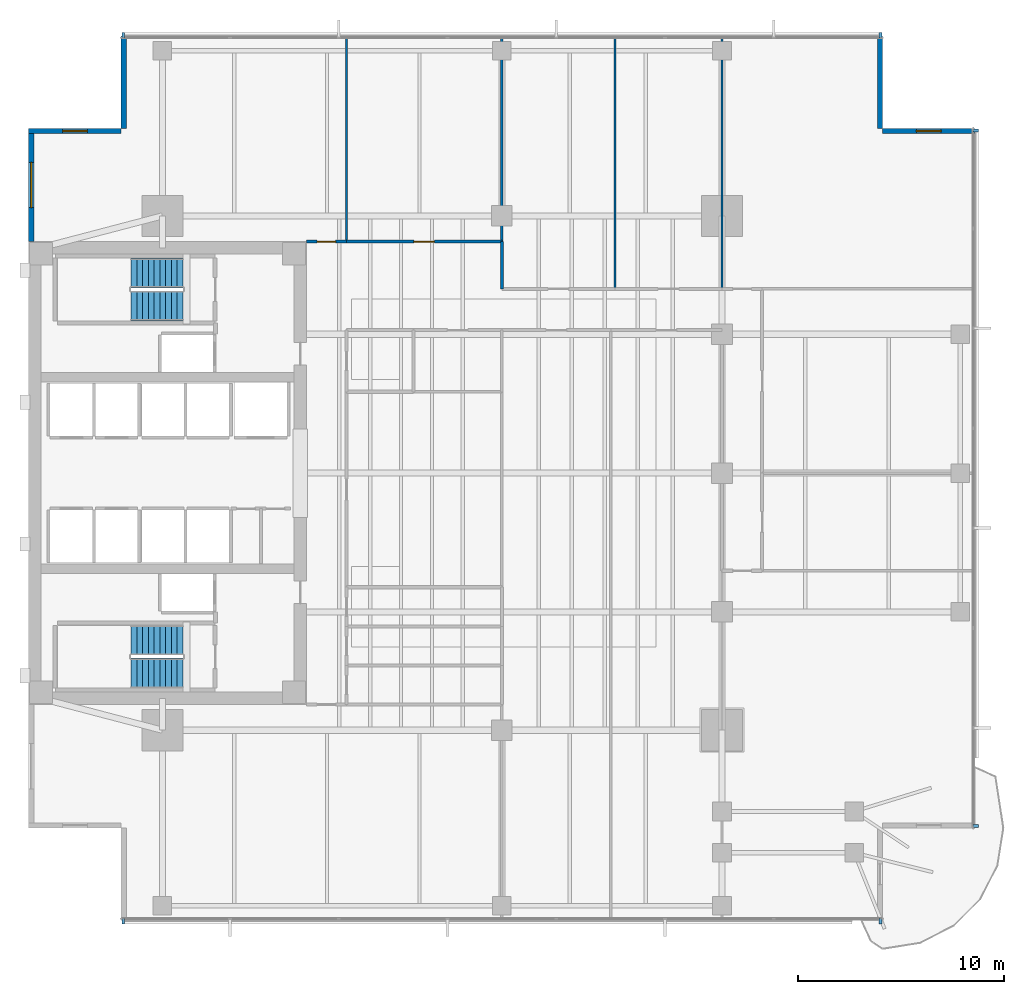
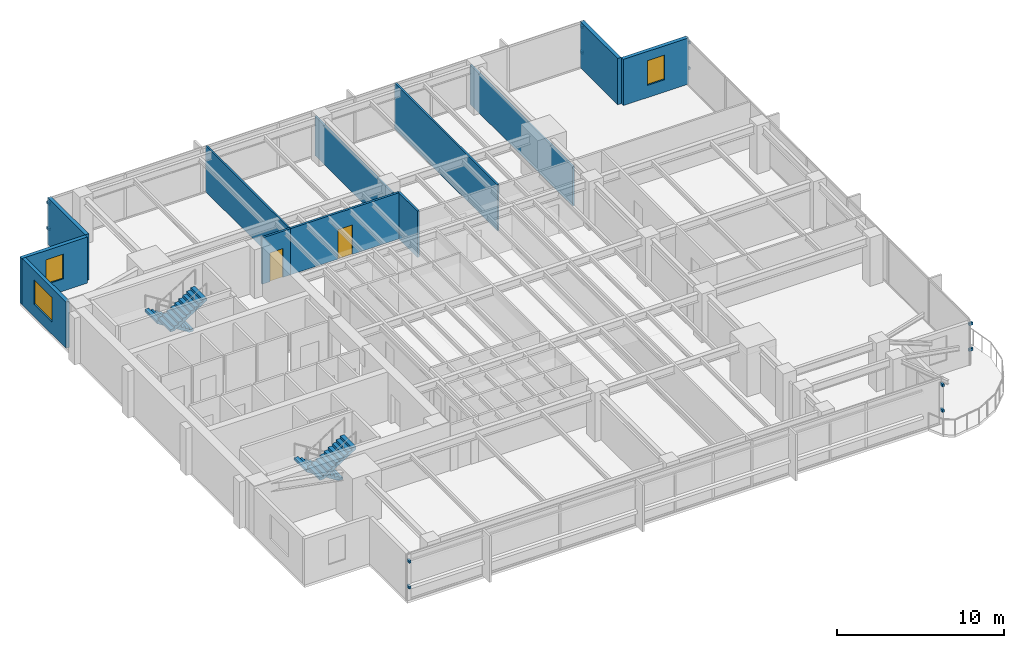
# One storey, part 10 of 14: 12 discrete accessories, 12 walls, 4 stair flights, 3 windows, 2 doors, 5 openings, 2 elements without a shape of their own.
"""IFC4 building model written with IfcOpenShell, lengths in metres."""

import ifcopenshell
import ifcopenshell.guid

model = None  # the IFC model being written
_history = None  # IfcOwnerHistory: only IFC2X3 demands one
_inside = {}  # id of a spatial element -> (the spatial element, [elements in it])
_under = {}  # id of a project, library or spatial element -> (it, [spatial elements below it])
_declared = {}  # id of a project -> (the project, [libraries it declares])
_typed = {}  # id of a type object -> (the type object, [elements of that type])
_made_of = {}  # id of a material, layer set ... -> (it, [elements and type objects made of it])


def new_model(schema):
    """Start an empty IFC model of exactly this schema.

    Asked for "IFC4X3", IfcOpenShell would pick the latest addendum, in which some entities
    have other attributes; the version numbers below select the first issue.
    IFC2X3 requires an IfcOwnerHistory on every rooted entity: one is made here for all.
    """
    global model, _history
    if schema == "IFC4X3":
        model = ifcopenshell.file(schema_version=(4, 3, 0, 0))
    else:
        model = ifcopenshell.file(schema=schema)
    _inside.clear()
    _under.clear()
    _declared.clear()
    _typed.clear()
    _made_of.clear()
    _history = None
    if model.schema == "IFC2X3":
        org = make("IfcOrganization", Name="unknown")
        user = make(
            "IfcPersonAndOrganization",
            ThePerson=make("IfcPerson", FamilyName="unknown"),
            TheOrganization=org,
        )
        app = make(
            "IfcApplication",
            ApplicationDeveloper=org,
            Version="unknown",
            ApplicationFullName="unknown",
            ApplicationIdentifier="unknown",
        )
        _history = make(
            "IfcOwnerHistory",
            OwningUser=user,
            OwningApplication=app,
            ChangeAction="ADDED",
            CreationDate=0,
        )
    return model


def make(cls, **values):
    """One entity of the class cls with the attributes given. An attribute that is None is left unset."""
    return model.create_entity(
        cls, **{name: value for name, value in values.items() if value is not None}
    )


def rooted(cls, **values):
    """An entity with a GlobalId (a new one), such as an element, a storey or a relation."""
    return make(cls, GlobalId=ifcopenshell.guid.new(), OwnerHistory=_history, **values)


def si_unit(unit_type, name, prefix=None):
    """IfcSIUnit, for example si_unit("LENGTHUNIT", "METRE", prefix="MILLI")."""
    return make("IfcSIUnit", UnitType=unit_type, Prefix=prefix, Name=name)


def assignment(units):
    """IfcUnitAssignment: the units of a project."""
    return None if units is None else make("IfcUnitAssignment", Units=units)


def point(xyz):
    """IfcCartesianPoint."""
    return None if xyz is None else make("IfcCartesianPoint", Coordinates=xyz)


def direction(xyz):
    """IfcDirection."""
    return None if xyz is None else make("IfcDirection", DirectionRatios=xyz)


def frame(location, z_axis=None, x_axis=None):
    """IfcAxis2Placement3D, a coordinate frame: its origin and axes. An axis left out is left unset."""
    return make(
        "IfcAxis2Placement3D",
        Location=point(location),
        Axis=direction(z_axis),
        RefDirection=direction(x_axis),
    )


def frame_2d(location, x_axis=None):
    """IfcAxis2Placement2D, a coordinate frame in the plane: its origin and x axis."""
    return make(
        "IfcAxis2Placement2D", Location=point(location), RefDirection=direction(x_axis)
    )


def origin():
    """The frame at (0, 0, 0) with its axes left unset."""
    return frame((0.0, 0.0, 0.0))


def origin_2d():
    """The frame at (0, 0) in the plane with its x axis left unset."""
    return frame_2d((0.0, 0.0))


def place(relative_to, where):
    """IfcLocalPlacement: puts the frame where relative to a parent placement (None: the world)."""
    return make(
        "IfcLocalPlacement", PlacementRelTo=relative_to, RelativePlacement=where
    )


def context(
    kind, dimensions, precision=None, world=None, true_north=None, identifier=None
):
    """IfcGeometricRepresentationContext, for example the 3D "Model" context."""
    return make(
        "IfcGeometricRepresentationContext",
        ContextIdentifier=identifier,
        ContextType=kind,
        CoordinateSpaceDimension=dimensions,
        Precision=precision,
        WorldCoordinateSystem=world,
        TrueNorth=true_north,
    )


def subcontext(parent, identifier, kind, view, scale=None):
    """IfcGeometricRepresentationSubContext, for example "Body" below "Model"."""
    return make(
        "IfcGeometricRepresentationSubContext",
        ContextIdentifier=identifier,
        ContextType=kind,
        ParentContext=parent,
        TargetScale=scale,
        TargetView=view,
    )


def project(units=None, contexts=None):
    """IfcProject with its units and contexts."""
    return rooted(
        "IfcProject",
        Name="project",
        RepresentationContexts=contexts,
        UnitsInContext=assignment(units),
    )


def spatial(cls, under=None, at=None, **own):
    """A site, building, storey or space (cls), placed at a placement, below another one or the project."""
    s = rooted(cls, ObjectPlacement=at, **own)
    if under is not None:
        _under.setdefault(under.id(), (under, []))[1].append(s)
    return s


def polyline(points):
    """IfcPolyline through the points."""
    return make("IfcPolyline", Points=[point(p) for p in points])


def profile(cls, at=None, kind="AREA", **sizes):
    """A parametric profile (cls). Its sizes go by their IFC names, for example OverallWidth=200.0."""
    return make(cls, ProfileType=kind, Position=at, **sizes)


def rectangle(**sizes):
    """IfcRectangleProfileDef."""
    return profile("IfcRectangleProfileDef", **sizes)


def outline(outer, holes=None, kind="AREA"):
    """IfcArbitraryClosedProfileDef: a profile drawn as a closed curve; with holes, ...WithVoids."""
    if holes is None:
        return make("IfcArbitraryClosedProfileDef", ProfileType=kind, OuterCurve=outer)
    return make(
        "IfcArbitraryProfileDefWithVoids",
        ProfileType=kind,
        OuterCurve=outer,
        InnerCurves=holes,
    )


def extrude(swept, where, along, depth):
    """IfcExtrudedAreaSolid: the profile swept, set in the frame where, extruded along a direction by depth."""
    return make(
        "IfcExtrudedAreaSolid",
        SweptArea=swept,
        Position=where,
        ExtrudedDirection=direction(along),
        Depth=depth,
    )


def shape(context_of_items, identifier, shape_type, items):
    """IfcShapeRepresentation: the items that make up one representation, for example the "Body"."""
    return make(
        "IfcShapeRepresentation",
        ContextOfItems=context_of_items,
        RepresentationIdentifier=identifier,
        RepresentationType=shape_type,
        Items=items,
    )


def material(Name=None, Category=None):
    """IfcMaterial."""
    return make("IfcMaterial", Name=Name, Category=Category)


def layer(
    of_material, thickness, ventilated=None, Name=None, Category=None, Priority=None
):
    """IfcMaterialLayer: one layer of a wall or slab, of a material (None: an air gap)."""
    return make(
        "IfcMaterialLayer",
        Material=of_material,
        LayerThickness=thickness,
        IsVentilated=ventilated,
        Name=Name,
        Category=Category,
        Priority=Priority,
    )


def layer_set(layers, Name=None):
    """IfcMaterialLayerSet."""
    return make("IfcMaterialLayerSet", MaterialLayers=layers, LayerSetName=Name)


def made_of(thing, what):
    """Note that an element or type object is made of a material, layer set ...; save() writes the relation."""
    if what is not None:
        _made_of.setdefault(what.id(), (what, []))[1].append(thing)
    return thing


def type_object(cls, material=None, **own):
    """A type object (cls), such as IfcWallType, which elements share."""
    return made_of(rooted(cls, **own), material)


def element(
    cls,
    number,
    at=None,
    inside=None,
    cuts=None,
    type_object=None,
    material=None,
    context=None,
    identifier="Body",
    shape_type=None,
    held_by="IfcProductDefinitionShape",
    body=None,
    shapes=None,
    **own,
):
    """One element of the class cls, such as IfcWall. Its Tag is "e" and its number.

    at: its placement. inside: the storey or other place that contains it. cuts: it is an
    opening in that element (IfcRelVoidsElement). A single representation is given by context,
    identifier, shape_type and body (its items); several are given by shapes. held_by: the class
    of the entity that holds the representations. save() writes the other relations.
    """
    e = rooted(cls, Tag="e%d" % number, ObjectPlacement=at, **own)
    if body is not None:
        shapes = [shape(context, identifier, shape_type, body)]
    if shapes is not None:
        e.Representation = make(held_by, Representations=shapes)
    if inside is not None:
        _inside.setdefault(inside.id(), (inside, []))[1].append(e)
    if cuts is not None:
        rooted(
            "IfcRelVoidsElement", RelatingBuildingElement=cuts, RelatedOpeningElement=e
        )
    if type_object is not None:
        _typed.setdefault(type_object.id(), (type_object, []))[1].append(e)
    return made_of(e, material)


def fill(opening, filler):
    """IfcRelFillsElement: the door or window that sits in an opening."""
    return rooted(
        "IfcRelFillsElement",
        RelatingOpeningElement=opening,
        RelatedBuildingElement=filler,
    )


def aggregate(whole, parts):
    """IfcRelAggregates: a whole, such as a stair, and the parts it consists of."""
    return rooted("IfcRelAggregates", RelatingObject=whole, RelatedObjects=parts)


def save(model, path):
    """Write the relations noted so far, then the file.

    IfcRelAggregates (storeys below a building ...), IfcRelContainedInSpatialStructure (elements
    in a storey), IfcRelDefinesByType, IfcRelAssociatesMaterial and IfcRelDeclares: one each for
    every whole, place, type object, material and project.
    """
    for whole, parts in _under.values():
        aggregate(whole, parts)
    for where, things in _inside.values():
        rooted(
            "IfcRelContainedInSpatialStructure",
            RelatedElements=things,
            RelatingStructure=where,
        )
    for kind, things in _typed.values():
        rooted("IfcRelDefinesByType", RelatedObjects=things, RelatingType=kind)
    for what, things in _made_of.values():
        rooted("IfcRelAssociatesMaterial", RelatedObjects=things, RelatingMaterial=what)
    for by, libraries in _declared.values():
        rooted("IfcRelDeclares", RelatingContext=by, RelatedDefinitions=libraries)
    model.write(path)


model = new_model("IFC4")

# Units and contexts
model_context = context("Model", 3, precision=1e-05, world=origin(), true_north=direction((0.0, 1.0)))
body_context = subcontext(model_context, "Body", "Model", "MODEL_VIEW")
ifc_project = project(units=[si_unit("LENGTHUNIT", "METRE"), si_unit("AREAUNIT", "SQUARE_METRE"), si_unit("VOLUMEUNIT", "CUBIC_METRE"), si_unit("PLANEANGLEUNIT", "RADIAN"), si_unit("MASSUNIT", "GRAM", prefix="KILO")], contexts=[model_context])

# Site, building, storey
site_placement = place(None, origin())
site = spatial("IfcSite", under=ifc_project, at=site_placement, CompositionType="ELEMENT")
building_placement = place(site_placement, origin())
building = spatial("IfcBuilding", under=site, at=building_placement, Name="Kinhvarn Gate Tower", CompositionType="ELEMENT")
storey_placement = place(building_placement, frame((0.0, 0.0, 116.449951171875)))
storey = spatial("IfcBuildingStorey", under=building, at=storey_placement, Name="L30", CompositionType="ELEMENT", Elevation=116.449951171875)

# Wall, opening, window
ifc_material_1 = material(Name="Fired architectural terracotta", Category="masonry")
ifc_layer_1 = layer(ifc_material_1, 0.25)
ifc_layer_set_1 = layer_set([ifc_layer_1], Name="Fired architectural terracotta")
wall_type_1 = type_object("IfcWallType", Name="WL-EXT-250", PredefinedType="SOLIDWALL", material=ifc_layer_set_1)
wall_1_placement = place(storey_placement, frame((4.625, 42.0, 0.0), z_axis=(0.0, 0.0, 1.0), x_axis=(0.0, -1.0, 0.0)))
wall_1 = element("IfcWall", 1, at=wall_1_placement, inside=storey, type_object=wall_type_1, Name="Exterior Solidwall Wall EW-250 (L30 West-North)", PredefinedType="SOLIDWALL", context=body_context, shape_type="SweptSolid", body=[
    extrude(rectangle(XDim=5.5, YDim=0.25, at=frame_2d((2.75, 0.0))), origin(), (0.0, 0.0, 1.0), 3.3701171875),
])
opening_1_placement = place(wall_1_placement, frame((1.64990234375, 0.0, 0.89990234375)))
opening_1 = element("IfcOpeningElement", 2, at=opening_1_placement, cuts=wall_1, Name="Opening WN-01", PredefinedType="OPENING", context=body_context, shape_type="SweptSolid", body=[
    extrude(rectangle(XDim=2.199951171875, YDim=1.800048828125, at=frame_2d((1.10009765625, 0.89990234375))), frame((0.0, 0.135009765625, 0.0), z_axis=(0.0, -1.0, 0.0), x_axis=(1.0, 0.0, 0.0)), (0.0, 0.0, 1.0), 0.27001953125),
])
ifc_material_2 = material(Name="Clear low-e double glazing", Category="glass")
window_type_1 = type_object("IfcWindowType", Name="WIN-RIB-2200", PartitioningType="SINGLE_PANEL", PredefinedType="WINDOW", material=ifc_material_2)
window_1_placement = place(opening_1_placement, origin())
window_1 = element("IfcWindow", 3, at=window_1_placement, inside=storey, type_object=window_type_1, Name="West Flank Double-Glazed Ribbon Window 2200x1800 mm (L30)", OverallHeight=1.800048828125, OverallWidth=2.199951171875, PartitioningType="SINGLE_PANEL", PredefinedType="WINDOW", context=body_context, shape_type="SweptSolid", body=[
    extrude(rectangle(XDim=2.199951171875, YDim=1.800048828125, at=frame_2d((1.10009765625, 0.89990234375))), frame((0.0, 0.030029296875, 0.0), z_axis=(0.0, -1.0, 0.0), x_axis=(1.0, 0.0, 0.0)), (0.0, 0.0, 1.0), 0.06005859375),
])
fill(opening_1, window_1)

wall_2_placement = place(storey_placement, frame((50.5, 41.875, 0.0), z_axis=(0.0, 0.0, 1.0), x_axis=(-1.0, 0.0, 0.0)))
wall_2 = element("IfcWall", 4, at=wall_2_placement, inside=storey, type_object=wall_type_1, Name="Exterior Solidwall Wall EW-250 (L30 NE-Notch-1)", PredefinedType="SOLIDWALL", context=body_context, shape_type="SweptSolid", body=[
    extrude(rectangle(XDim=4.5, YDim=0.25, at=frame_2d((2.25, 0.0))), origin(), (0.0, 0.0, 1.0), 3.3701171875),
])
opening_2_placement = place(wall_2_placement, frame((1.64990234375, 0.0, 0.89990234375)))
opening_2 = element("IfcOpeningElement", 5, at=opening_2_placement, cuts=wall_2, Name="Opening WN-02", PredefinedType="OPENING", context=body_context, shape_type="SweptSolid", body=[
    extrude(rectangle(XDim=1.199951171875, YDim=1.800048828125, at=frame_2d((0.60009765625, 0.89990234375))), frame((0.0, 0.135009765625, 0.0), z_axis=(0.0, -1.0, 0.0), x_axis=(1.0, 0.0, 0.0)), (0.0, 0.0, 1.0), 0.27001953125),
])
window_type_2 = type_object("IfcWindowType", Name="WIN-NTC-1200", PartitioningType="SINGLE_PANEL", PredefinedType="WINDOW", material=ifc_material_2)
window_2_placement = place(opening_2_placement, origin())
window_2 = element("IfcWindow", 6, at=window_2_placement, inside=storey, type_object=window_type_2, Name="Recessed Corner Notch Punched Window 1200x1800 mm (L30)", OverallHeight=1.800048828125, OverallWidth=1.199951171875, PartitioningType="SINGLE_PANEL", PredefinedType="WINDOW", context=body_context, shape_type="SweptSolid", body=[
    extrude(rectangle(XDim=1.199951171875, YDim=1.800048828125, at=frame_2d((0.60009765625, 0.89990234375))), frame((0.0, 0.030029296875, 0.0), z_axis=(0.0, -1.0, 0.0), x_axis=(1.0, 0.0, 0.0)), (0.0, 0.0, 1.0), 0.06005859375),
])
fill(opening_2, window_2)

# Walls
for number, where, z_axis, x_axis, name in (
    (7, (45.875, 42.0, 0.0), (0.0, 0.0, 1.0), (0.0, 1.0, 0.0), "Exterior Solidwall Wall EW-250 (L30 NE-Notch-2)"),
    (8, (9.125, 46.5, 0.0), (0.0, 0.0, 1.0), (0.0, -1.0, 0.0), "Exterior Solidwall Wall EW-250 (L30 NW-Notch-1)"),
):
    element("IfcWall", number, at=place(storey_placement, frame(where, z_axis=z_axis, x_axis=x_axis)), inside=storey, type_object=wall_type_1, Name=name, PredefinedType="SOLIDWALL", context=body_context, shape_type="SweptSolid", body=[
        extrude(rectangle(XDim=4.5, YDim=0.25, at=frame_2d((2.25, 0.0))), origin(), (0.0, 0.0, 1.0), 3.3701171875),
    ])

# Wall, opening, window
wall_3_placement = place(storey_placement, frame((9.0, 41.875, 0.0), z_axis=(0.0, 0.0, 1.0), x_axis=(-1.0, 0.0, 0.0)))
wall_3 = element("IfcWall", 9, at=wall_3_placement, inside=storey, type_object=wall_type_1, Name="Exterior Solidwall Wall EW-250 (L30 NW-Notch-2)", PredefinedType="SOLIDWALL", context=body_context, shape_type="SweptSolid", body=[
    extrude(rectangle(XDim=4.5, YDim=0.25, at=frame_2d((2.25, 0.0))), origin(), (0.0, 0.0, 1.0), 3.3701171875),
])
opening_3_placement = place(wall_3_placement, frame((1.64990234375, 0.0, 0.89990234375)))
opening_3 = element("IfcOpeningElement", 10, at=opening_3_placement, cuts=wall_3, Name="Opening WN-02", PredefinedType="OPENING", context=body_context, shape_type="SweptSolid", body=[
    extrude(rectangle(XDim=1.199951171875, YDim=1.800048828125, at=frame_2d((0.60009765625, 0.89990234375))), frame((0.0, 0.135009765625, 0.0), z_axis=(0.0, -1.0, 0.0), x_axis=(1.0, 0.0, 0.0)), (0.0, 0.0, 1.0), 0.27001953125),
])
window_3_placement = place(opening_3_placement, origin())
window_3 = element("IfcWindow", 11, at=window_3_placement, inside=storey, type_object=window_type_2, Name="Recessed Corner Notch Punched Window 1200x1800 mm (L30)", OverallHeight=1.800048828125, OverallWidth=1.199951171875, PartitioningType="SINGLE_PANEL", PredefinedType="WINDOW", context=body_context, shape_type="SweptSolid", body=[
    extrude(rectangle(XDim=1.199951171875, YDim=1.800048828125, at=frame_2d((0.60009765625, 0.89990234375))), frame((0.0, 0.030029296875, 0.0), z_axis=(0.0, -1.0, 0.0), x_axis=(1.0, 0.0, 0.0)), (0.0, 0.0, 1.0), 0.06005859375),
])
fill(opening_3, window_3)

# Walls
ifc_material_3 = material(Name="Gypsum acoustic partition board")
ifc_layer_2 = layer(ifc_material_3, 0.1201171875)
ifc_layer_set_2 = layer_set([ifc_layer_2], Name="Gypsum acoustic partition board")
wall_type_2 = type_object("IfcWallType", Name="WL-PRT-120", PredefinedType="PARTITIONING", material=ifc_layer_set_2)
wall_4_placement = place(storey_placement, frame((19.949951171875, 36.5, 0.0), z_axis=(0.0, 0.0, 1.0), x_axis=(0.0, 1.0, 0.0)))
element("IfcWall", 12, at=wall_4_placement, inside=storey, type_object=wall_type_2, Name="Interior Partition PW-120 (L30)", PredefinedType="PARTITIONING", context=body_context, shape_type="SweptSolid", body=[
    extrude(rectangle(XDim=9.989990234375, YDim=0.1201171875, at=frame_2d((4.9951171875, 0.0))), origin(), (0.0, 0.0, 1.0), 3.3701171875),
])
wall_5_placement = place(storey_placement, frame((27.5, 36.5, 0.0), z_axis=(0.0, 0.0, 1.0), x_axis=(0.0, 1.0, 0.0)))
element("IfcWall", 13, at=wall_5_placement, inside=storey, type_object=wall_type_2, Name="Interior Partition PW-120 (L30)", PredefinedType="PARTITIONING", context=body_context, shape_type="SweptSolid", body=[
    extrude(rectangle(XDim=9.989990234375, YDim=0.1201171875, at=frame_2d((4.9951171875, 0.0))), origin(), (0.0, 0.0, 1.0), 2.8701171875),
])
wall_6_placement = place(storey_placement, frame((33.0, 34.199951171875, 0.0), z_axis=(0.0, 0.0, 1.0), x_axis=(0.0, 1.0, 0.0)))
element("IfcWall", 14, at=wall_6_placement, inside=storey, type_object=wall_type_2, Name="Interior Partition PW-120 (L30)", PredefinedType="PARTITIONING", context=body_context, shape_type="SweptSolid", body=[
    extrude(rectangle(XDim=12.2900390625, YDim=0.1201171875, at=frame_2d((6.14501953125, 0.0))), origin(), (0.0, 0.0, 1.0), 3.3701171875),
])
wall_7_placement = place(storey_placement, frame((38.199951171875, 34.199951171875, 0.0), z_axis=(0.0, 0.0, 1.0), x_axis=(0.0, 1.0, 0.0)))
element("IfcWall", 15, at=wall_7_placement, inside=storey, type_object=wall_type_2, Name="Interior Partition PW-120 (L30)", PredefinedType="PARTITIONING", context=body_context, shape_type="SweptSolid", body=[
    extrude(rectangle(XDim=12.2900390625, YDim=0.1201171875, at=frame_2d((6.14501953125, 0.0))), origin(), (0.0, 0.0, 1.0), 2.8701171875),
])

# Wall, opening, door
ifc_layer_3 = layer(ifc_material_3, 0.14990234375)
ifc_layer_set_3 = layer_set([ifc_layer_3], Name="Gypsum acoustic partition board")
wall_type_3 = type_object("IfcWallType", Name="WL-PRT-150F", PredefinedType="PARTITIONING", material=ifc_layer_set_3)
wall_8_placement = place(storey_placement, frame((18.0, 36.5, 0.0), z_axis=(0.0, 0.0, 1.0), x_axis=(1.0, 0.0, 0.0)))
wall_8 = element("IfcWall", 16, at=wall_8_placement, inside=storey, type_object=wall_type_3, Name="Interior Partition PW-150F (L30)", PredefinedType="PARTITIONING", context=body_context, shape_type="SweptSolid", body=[
    extrude(rectangle(XDim=1.949951171875, YDim=0.14990234375, at=frame_2d((0.97509765625, 0.0))), origin(), (0.0, 0.0, 1.0), 3.3701171875),
])
opening_4_placement = place(wall_8_placement, frame((0.52490234375, 0.0, 0.0)))
opening_4 = element("IfcOpeningElement", 17, at=opening_4_placement, cuts=wall_8, Name="Opening ID-03", PredefinedType="OPENING", context=body_context, shape_type="SweptSolid", body=[
    extrude(rectangle(XDim=0.89990234375, YDim=2.10009765625, at=frame_2d((0.449951171875, 1.050048828125))), frame((0.0, 0.0849609375, 0.0), z_axis=(0.0, -1.0, 0.0), x_axis=(1.0, 0.0, 0.0)), (0.0, 0.0, 1.0), 0.169921875),
])
ifc_material_4 = material(Name="Anodised aluminium AW-6063", Category="aluminium")
door_type_1 = type_object("IfcDoorType", Name="DR-INT-900", OperationType="NOTDEFINED", PredefinedType="DOOR", material=ifc_material_4)
door_1_placement = place(opening_4_placement, origin())
door_1 = element("IfcDoor", 18, at=door_1_placement, inside=storey, type_object=door_type_1, Name="Cellular Office & Restroom Door 900x2100 mm (L30)", OperationType="SINGLE_SWING_RIGHT", OverallHeight=2.10009765625, OverallWidth=0.89990234375, PredefinedType="DOOR", context=body_context, shape_type="SweptSolid", body=[
    extrude(rectangle(XDim=0.89990234375, YDim=2.10009765625, at=frame_2d((0.449951171875, 1.050048828125))), frame((0.0, 0.02490234375, 0.0), z_axis=(0.0, -1.0, 0.0), x_axis=(1.0, 0.0, 0.0)), (0.0, 0.0, 1.0), 0.050048828125),
])
fill(opening_4, door_1)

wall_9_placement = place(storey_placement, frame((19.949951171875, 36.5, 0.0), z_axis=(0.0, 0.0, 1.0), x_axis=(1.0, 0.0, 0.0)))
wall_9 = element("IfcWall", 19, at=wall_9_placement, inside=storey, type_object=wall_type_3, Name="Interior Partition PW-150F (L30)", PredefinedType="PARTITIONING", context=body_context, shape_type="SweptSolid", body=[
    extrude(rectangle(XDim=7.550048828125, YDim=0.14990234375, at=frame_2d((3.77490234375, 0.0))), origin(), (0.0, 0.0, 1.0), 3.3701171875),
])
opening_5_placement = place(wall_9_placement, frame((3.27490234375, 0.0, 0.0)))
opening_5 = element("IfcOpeningElement", 20, at=opening_5_placement, cuts=wall_9, Name="Opening ID-02", PredefinedType="OPENING", context=body_context, shape_type="SweptSolid", body=[
    extrude(rectangle(XDim=1.0, YDim=2.14990234375, at=frame_2d((0.5, 1.074951171875))), frame((0.0, 0.0849609375, 0.0), z_axis=(0.0, -1.0, 0.0), x_axis=(1.0, 0.0, 0.0)), (0.0, 0.0, 1.0), 0.169921875),
])
door_type_2 = type_object("IfcDoorType", Name="DR-INT-1000", OperationType="NOTDEFINED", PredefinedType="DOOR", material=ifc_material_4)
door_2_placement = place(opening_5_placement, origin())
door_2 = element("IfcDoor", 21, at=door_2_placement, inside=storey, type_object=door_type_2, Name="Standard Office & Meeting Room Door 1000x2150 mm (L30)", OperationType="SINGLE_SWING_RIGHT", OverallHeight=2.14990234375, OverallWidth=1.0, PredefinedType="DOOR", context=body_context, shape_type="SweptSolid", body=[
    extrude(rectangle(XDim=1.0, YDim=2.14990234375, at=frame_2d((0.5, 1.074951171875))), frame((0.0, 0.02490234375, 0.0), z_axis=(0.0, -1.0, 0.0), x_axis=(1.0, 0.0, 0.0)), (0.0, 0.0, 1.0), 0.050048828125),
])
fill(opening_5, door_2)

# Wall
wall_10_placement = place(storey_placement, frame((27.5, 34.199951171875, 0.0), z_axis=(0.0, 0.0, 1.0), x_axis=(0.0, 1.0, 0.0)))
element("IfcWall", 22, at=wall_10_placement, inside=storey, type_object=wall_type_3, Name="Interior Partition PW-150F (L30)", PredefinedType="PARTITIONING", context=body_context, shape_type="SweptSolid", body=[
    extrude(rectangle(XDim=2.300048828125, YDim=0.14990234375, at=frame_2d((1.14990234375, 0.0))), origin(), (0.0, 0.0, 1.0), 3.3701171875),
])

# Stair, stair flights
ifc_material_5 = material(Name="Concrete C40/50", Category="concrete")
stair_type = type_object("IfcStairType", Name="STR-DLG-177", PredefinedType="HALF_TURN_STAIR", material=ifc_material_5)
stair_1_placement = place(storey_placement, origin())
stair_1 = element("IfcStair", 23, at=stair_1_placement, inside=storey, type_object=stair_type, Name="L30 Core Smokeproof Exit Stair ST1", PredefinedType="HALF_TURN_STAIR")
stair_flight_type = type_object("IfcStairFlightType", Name="STF-DLG-177", PredefinedType="STRAIGHT", material=ifc_material_5)
stair_flight_1_placement = place(storey_placement, frame((12.0, 17.125, 0.0), z_axis=(0.0, 0.0, 1.0), x_axis=(-1.0, 0.0, 0.0)))
stair_flight_1 = element("IfcStairFlight", 24, at=stair_flight_1_placement, type_object=stair_flight_type, Name="ST1 flight 1", NumberOfRisers=10, NumberOfTreads=9, PredefinedType="STRAIGHT", RiserHeight=0.1775, TreadLength=0.28, context=body_context, shape_type="SweptSolid", body=[
    extrude(outline(polyline([(0.0, 0.0), (0.0, 0.177490234375), (0.280029296875, 0.177490234375), (0.280029296875, 0.35498046875), (0.56005859375, 0.35498046875), (0.56005859375, 0.532470703125), (0.840087890625, 0.532470703125), (0.840087890625, 0.7099609375), (1.1201171875, 0.7099609375), (1.1201171875, 0.887451171875), (1.39990234375, 0.887451171875), (1.39990234375, 1.06494140625), (1.679931640625, 1.06494140625), (1.679931640625, 1.242431640625), (1.9599609375, 1.242431640625), (1.9599609375, 1.419921875), (2.239990234375, 1.419921875), (2.239990234375, 1.597412109375), (2.52001953125, 1.597412109375), (2.52001953125, 1.77490234375), (2.52001953125, 1.419921875), (0.280029296875, 0.0), (0.0, 0.0)])), frame((0.0, 0.72509765625, 0.0), z_axis=(0.0, -1.0, 0.0), x_axis=(1.0, 0.0, 0.0)), (0.0, 0.0, 1.0), 1.449951171875),
])
stair_flight_2_placement = place(storey_placement, frame((9.47998046875, 15.52490234375, 1.775146484375), z_axis=(0.0, 0.0, 1.0), x_axis=(1.0, 0.0, 0.0)))
stair_flight_2 = element("IfcStairFlight", 25, at=stair_flight_2_placement, type_object=stair_flight_type, Name="ST1 flight 2", NumberOfRisers=10, NumberOfTreads=9, PredefinedType="STRAIGHT", RiserHeight=0.1775, TreadLength=0.28, context=body_context, shape_type="SweptSolid", body=[
    extrude(outline(polyline([(0.0, 0.0), (0.0, 0.177490234375), (0.280029296875, 0.177490234375), (0.280029296875, 0.35498046875), (0.56005859375, 0.35498046875), (0.56005859375, 0.532470703125), (0.840087890625, 0.532470703125), (0.840087890625, 0.7099609375), (1.1201171875, 0.7099609375), (1.1201171875, 0.887451171875), (1.39990234375, 0.887451171875), (1.39990234375, 1.06494140625), (1.679931640625, 1.06494140625), (1.679931640625, 1.242431640625), (1.9599609375, 1.242431640625), (1.9599609375, 1.419921875), (2.239990234375, 1.419921875), (2.239990234375, 1.597412109375), (2.52001953125, 1.597412109375), (2.52001953125, 1.77490234375), (2.52001953125, 1.419921875), (0.280029296875, 0.0), (0.0, 0.0)])), frame((0.0, 0.72509765625, 0.0), z_axis=(0.0, -1.0, 0.0), x_axis=(1.0, 0.0, 0.0)), (0.0, 0.0, 1.0), 1.449951171875),
])
aggregate(stair_1, [stair_flight_1, stair_flight_2])

stair_2_placement = place(storey_placement, origin())
stair_2 = element("IfcStair", 26, at=stair_2_placement, inside=storey, type_object=stair_type, Name="L30 Core Smokeproof Exit Stair ST2", PredefinedType="HALF_TURN_STAIR")
stair_flight_3_placement = place(storey_placement, frame((12.0, 34.97509765625, 0.0), z_axis=(0.0, 0.0, 1.0), x_axis=(-1.0, 0.0, 0.0)))
stair_flight_3 = element("IfcStairFlight", 27, at=stair_flight_3_placement, type_object=stair_flight_type, Name="ST2 flight 1", NumberOfRisers=10, NumberOfTreads=9, PredefinedType="STRAIGHT", RiserHeight=0.1775, TreadLength=0.28, context=body_context, shape_type="SweptSolid", body=[
    extrude(outline(polyline([(0.0, 0.0), (0.0, 0.177490234375), (0.280029296875, 0.177490234375), (0.280029296875, 0.35498046875), (0.56005859375, 0.35498046875), (0.56005859375, 0.532470703125), (0.840087890625, 0.532470703125), (0.840087890625, 0.7099609375), (1.1201171875, 0.7099609375), (1.1201171875, 0.887451171875), (1.39990234375, 0.887451171875), (1.39990234375, 1.06494140625), (1.679931640625, 1.06494140625), (1.679931640625, 1.242431640625), (1.9599609375, 1.242431640625), (1.9599609375, 1.419921875), (2.239990234375, 1.419921875), (2.239990234375, 1.597412109375), (2.52001953125, 1.597412109375), (2.52001953125, 1.77490234375), (2.52001953125, 1.419921875), (0.280029296875, 0.0), (0.0, 0.0)])), frame((0.0, 0.72509765625, 0.0), z_axis=(0.0, -1.0, 0.0), x_axis=(1.0, 0.0, 0.0)), (0.0, 0.0, 1.0), 1.449951171875),
])
stair_flight_4_placement = place(storey_placement, frame((9.47998046875, 33.375, 1.775146484375), z_axis=(0.0, 0.0, 1.0), x_axis=(1.0, 0.0, 0.0)))
stair_flight_4 = element("IfcStairFlight", 28, at=stair_flight_4_placement, type_object=stair_flight_type, Name="ST2 flight 2", NumberOfRisers=10, NumberOfTreads=9, PredefinedType="STRAIGHT", RiserHeight=0.1775, TreadLength=0.28, context=body_context, shape_type="SweptSolid", body=[
    extrude(outline(polyline([(0.0, 0.0), (0.0, 0.177490234375), (0.280029296875, 0.177490234375), (0.280029296875, 0.35498046875), (0.56005859375, 0.35498046875), (0.56005859375, 0.532470703125), (0.840087890625, 0.532470703125), (0.840087890625, 0.7099609375), (1.1201171875, 0.7099609375), (1.1201171875, 0.887451171875), (1.39990234375, 0.887451171875), (1.39990234375, 1.06494140625), (1.679931640625, 1.06494140625), (1.679931640625, 1.242431640625), (1.9599609375, 1.242431640625), (1.9599609375, 1.419921875), (2.239990234375, 1.419921875), (2.239990234375, 1.597412109375), (2.52001953125, 1.597412109375), (2.52001953125, 1.77490234375), (2.52001953125, 1.419921875), (0.280029296875, 0.0), (0.0, 0.0)])), frame((0.0, 0.72509765625, 0.0), z_axis=(0.0, -1.0, 0.0), x_axis=(1.0, 0.0, 0.0)), (0.0, 0.0, 1.0), 1.449951171875),
])
aggregate(stair_2, [stair_flight_3, stair_flight_4])

# Discrete accessories
discrete_accessory_type = type_object("IfcDiscreteAccessoryType", Name="ACC-BRK-01", PredefinedType="BRACKET", material=ifc_material_4)
for number, where, z_axis, x_axis, name in (
    (29, (9.10009765625, 3.469970703125, 0.9599609375), (0.0, 0.0, 1.0), (1.0, 0.0, 0.0), "Baguette Support Bracket BK-01 (L30)"),
    (30, (9.10009765625, 3.469970703125, 2.830078125), (0.0, 0.0, 1.0), (1.0, 0.0, 0.0), "Baguette Support Bracket BK-01 (L30)"),
    (31, (45.89990234375, 3.469970703125, 0.9599609375), (0.0, 0.0, 1.0), (1.0, 0.0, 0.0), "Baguette Support Bracket BK-01 (L30)"),
    (32, (45.89990234375, 3.469970703125, 2.830078125), (0.0, 0.0, 1.0), (1.0, 0.0, 0.0), "Baguette Support Bracket BK-01 (L30)"),
    (33, (45.89990234375, 46.530029296875, 0.9599609375), (0.0, 0.0, 1.0), (-1.0, 0.0, 0.0), "Baguette Support Bracket BK-01 (L30)"),
    (34, (45.89990234375, 46.530029296875, 2.830078125), (0.0, 0.0, 1.0), (-1.0, 0.0, 0.0), "Baguette Support Bracket BK-01 (L30)"),
    (35, (9.10009765625, 46.530029296875, 0.9599609375), (0.0, 0.0, 1.0), (-1.0, 0.0, 0.0), "Baguette Support Bracket BK-01 (L30)"),
    (36, (9.10009765625, 46.530029296875, 2.830078125), (0.0, 0.0, 1.0), (-1.0, 0.0, 0.0), "Baguette Support Bracket BK-01 (L30)"),
    (37, (50.530029296875, 8.10009765625, 0.9599609375), (0.0, 0.0, 1.0), (0.0, 1.0, 0.0), "Baguette Support Bracket BK-01 (L30)"),
    (38, (50.530029296875, 8.10009765625, 2.830078125), (0.0, 0.0, 1.0), (0.0, 1.0, 0.0), "Baguette Support Bracket BK-01 (L30)"),
    (39, (50.530029296875, 41.89990234375, 0.9599609375), (0.0, 0.0, 1.0), (0.0, 1.0, 0.0), "Baguette Support Bracket BK-01 (L30)"),
    (40, (50.530029296875, 41.89990234375, 2.830078125), (0.0, 0.0, 1.0), (0.0, 1.0, 0.0), "Baguette Support Bracket BK-01 (L30)"),
):
    element("IfcDiscreteAccessory", number, at=place(storey_placement, frame(where, z_axis=z_axis, x_axis=x_axis)), inside=storey, type_object=discrete_accessory_type, Name=name, PredefinedType="BRACKET", context=body_context, shape_type="SweptSolid", body=[
        extrude(rectangle(XDim=0.139892578125, YDim=0.280029296875, at=origin_2d()), origin(), (0.0, 0.0, 1.0), 0.179931640625),
    ])

save(model, "model.ifc")
